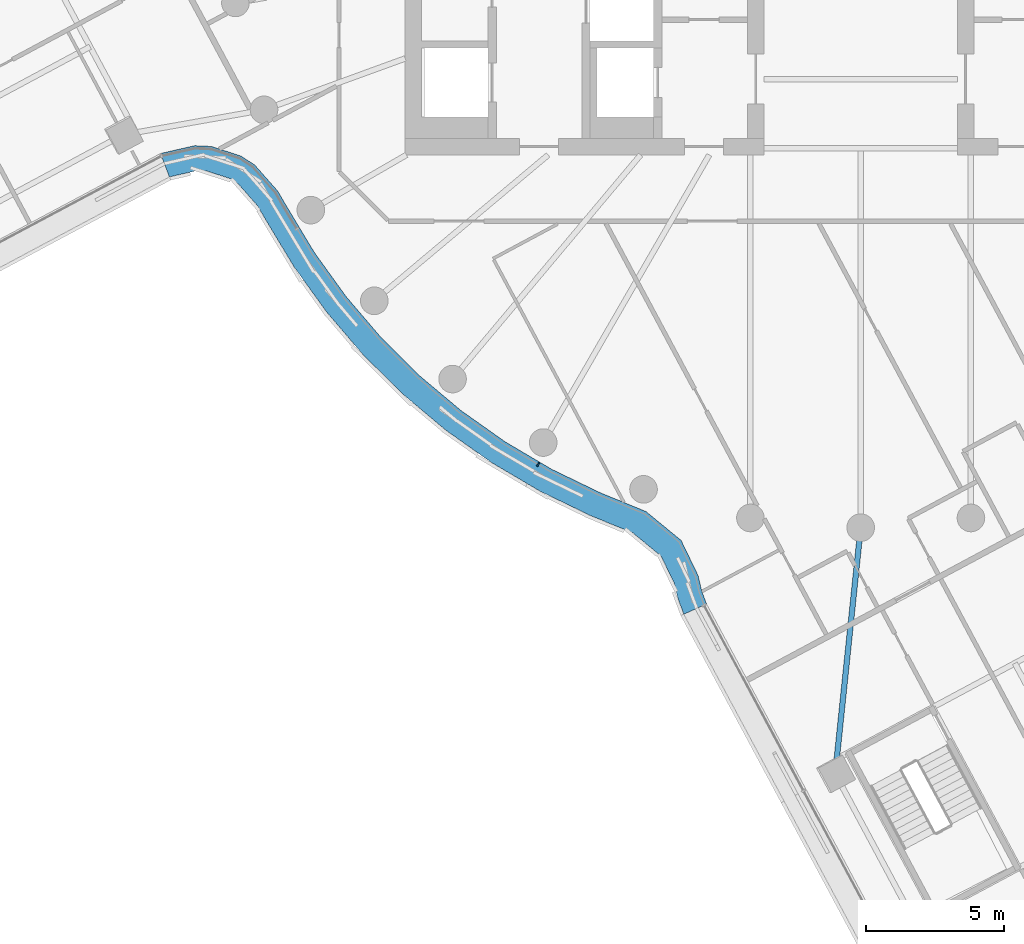
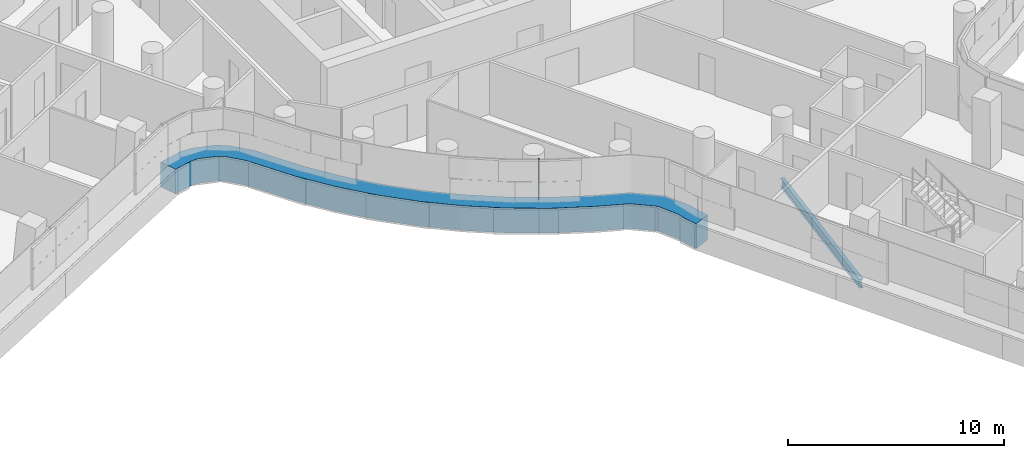
# One storey, part 4 of 33: 2 members, 1 beam, 1 element without a shape of its own.
"""IFC4 building model written with IfcOpenShell, lengths in metres."""

from ifc_helpers import new_model, si_unit, direction, frame, origin, origin_2d, place, context, subcontext, project, spatial, polyline, rectangle, i_section, outline, extrude, material, layer, layer_set, material_profile, profile_set, type_object, element, aggregate, save


model = new_model("IFC4")

# Units and contexts
model_context = context("Model", 3, precision=1e-05, world=origin(), true_north=direction((0.0, 1.0)))
body_context = subcontext(model_context, "Body", "Model", "MODEL_VIEW")
ifc_project = project(units=[si_unit("LENGTHUNIT", "METRE"), si_unit("AREAUNIT", "SQUARE_METRE"), si_unit("VOLUMEUNIT", "CUBIC_METRE"), si_unit("PLANEANGLEUNIT", "RADIAN"), si_unit("MASSUNIT", "GRAM", prefix="KILO")], contexts=[model_context])

# Site, building, storey
site_placement = place(None, origin())
site = spatial("IfcSite", under=ifc_project, at=site_placement, CompositionType="ELEMENT")
building_placement = place(site_placement, origin())
building = spatial("IfcBuilding", under=site, at=building_placement, Name="Tamarind Cross Interchange Tower", CompositionType="ELEMENT")
storey_placement = place(building_placement, frame((0.0, 0.0, 136.75)))
storey = spatial("IfcBuildingStorey", under=building, at=storey_placement, Name="L33", CompositionType="ELEMENT", Elevation=136.75)

# Beam
ifc_material_1 = material(Name="Steel Q355B", Category="steel")
ifc_material_profile_1 = material_profile(ifc_material_1, i_section(OverallWidth=0.198974609375, OverallDepth=0.49609375, WebThickness=0.009033203125, FlangeThickness=0.013916015625, FilletRadius=0.012939453125, at=origin_2d()), Name="HN 496x199x9x14")
ifc_profile_set_1 = profile_set([ifc_material_profile_1], Name="Steel Q355B")
beam_type = type_object("IfcBeamType", Name="Composite beam HN 496x199x9x14 Q355B", PredefinedType="BEAM", material=ifc_profile_set_1)
beam_placement = place(storey_placement, frame((-0.92333984375, -31.9140625, -0.387939453125), z_axis=(0.103031132076, 0.994678131771, 0.0), x_axis=(-0.994678131771, 0.103031132076, 0.0)))
element("IfcBeam", 1, at=beam_placement, inside=storey, type_object=beam_type, Name="Beam S-linkem", PredefinedType="BEAM", context=body_context, shape_type="SweptSolid", body=[
    extrude(i_section(OverallWidth=0.198974609375, OverallDepth=0.49609375, WebThickness=0.009033203125, FlangeThickness=0.013916015625, FilletRadius=0.012939453125, at=origin_2d()), origin(), (0.0, 0.0, 1.0), 8.961669921875),
])

# Curtain wall, members
ifc_material_2 = material(Name="Aluminium 6063-T6", Category="aluminium")
ifc_layer = layer(ifc_material_2, 0.159912109375)
ifc_layer_set = layer_set([ifc_layer], Name="Aluminium 6063-T6")
curtain_wall_type = type_object("IfcCurtainWallType", Name="Office curtain wall, 9.0 m bays", PredefinedType="NOTDEFINED", material=ifc_layer_set)
curtain_wall_placement = place(storey_placement, origin())
curtain_wall = element("IfcCurtainWall", 2, at=curtain_wall_placement, inside=storey, type_object=curtain_wall_type, Name="CWS-L33-06", PredefinedType="NOTDEFINED")
ifc_material_3 = material(Name="Aluminium and insulated spandrel panel", Category="aluminium")
member_type_1 = type_object("IfcMemberType", Name="Floor-edge blade transom", PredefinedType="USERDEFINED", material=ifc_material_3)
member_1_placement = place(storey_placement, origin())
member_1 = element("IfcMember", 3, at=member_1_placement, type_object=member_type_1, Name="CWT-L33-06", ObjectType="TRANSOM", PredefinedType="USERDEFINED", context=body_context, shape_type="SweptSolid", body=[
    extrude(outline(polyline([(-25.3603515625, -9.446044921875), (-24.126220703125, -9.16455078125), (-23.52587890625, -9.19091796875), (-22.449462890625, -9.537841796875), (-21.94677734375, -9.8671875), (-21.116455078125, -10.80859375), (-20.79638671875, -11.358642578125), (-19.78125, -13.045654296875), (-18.636474609375, -14.634521484375), (-17.3642578125, -16.12353515625), (-15.973388671875, -17.50244140625), (-14.4736328125, -18.76171875), (-12.874755859375, -19.892822265625), (-11.188232421875, -20.88818359375), (-9.422119140625, -21.741943359375), (-7.778564453125, -22.415283203125), (-6.505615234375, -23.461181640625), (-5.890869140625, -24.732177734375), (-5.75439453125, -25.31298828125), (-5.583740234375, -25.764404296875), (-6.40478515625, -26.137939453125), (-6.6171875, -25.575927734375), (-6.744140625, -25.03466796875), (-7.229736328125, -24.031005859375), (-8.2451171875, -23.19677734375), (-9.788818359375, -22.564453125), (-11.613525390625, -21.68212890625), (-13.3642578125, -20.64892578125), (-15.023681640625, -19.474853515625), (-16.580810546875, -18.167724609375), (-18.0244140625, -16.736572265625), (-19.344970703125, -15.19091796875), (-20.533203125, -13.54150390625), (-21.57080078125, -11.817138671875), (-21.849853515625, -11.337646484375), (-22.54150390625, -10.553466796875), (-22.84130859375, -10.357177734375), (-23.6865234375, -10.084716796875), (-24.04443359375, -10.069091796875), (-25.04296875, -10.296875), (-25.3603515625, -9.446044921875)])), origin(), (0.0, 0.0, 1.0), 1.39990234375),
])
ifc_material_profile_2 = material_profile(ifc_material_2, rectangle(XDim=0.06005859375, YDim=0.159912109375, at=origin_2d()), Name="Mullion CW1")
ifc_profile_set_2 = profile_set([ifc_material_profile_2], Name="Aluminium 6063-T6")
member_type_2 = type_object("IfcMemberType", Name="Mullion CW1", PredefinedType="MULLION", material=ifc_profile_set_2)
member_2_placement = place(storey_placement, frame((-11.683349609375, -20.7119140625, 1.39990234375), z_axis=(0.0, 0.0, 1.0), x_axis=(0.861248933065, -0.508183308752, 0.0)))
member_2 = element("IfcMember", 4, at=member_2_placement, type_object=member_type_2, Name="CWM-L33-06-02", PredefinedType="MULLION", context=body_context, shape_type="SweptSolid", body=[
    extrude(rectangle(XDim=0.06005859375, YDim=0.159912109375, at=origin_2d()), origin(), (0.0, 0.0, 1.0), 2.210205078125),
])
aggregate(curtain_wall, [member_2, member_1])

save(model, "model.ifc")
